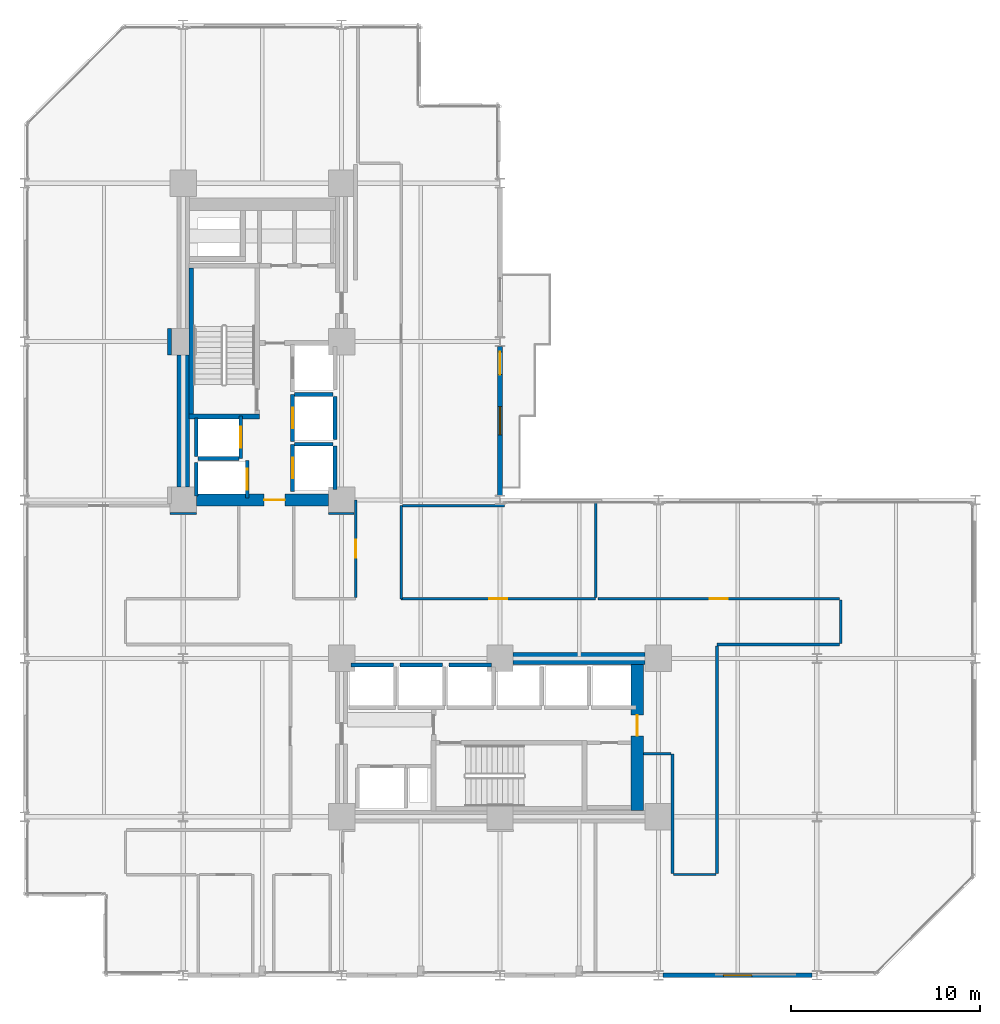
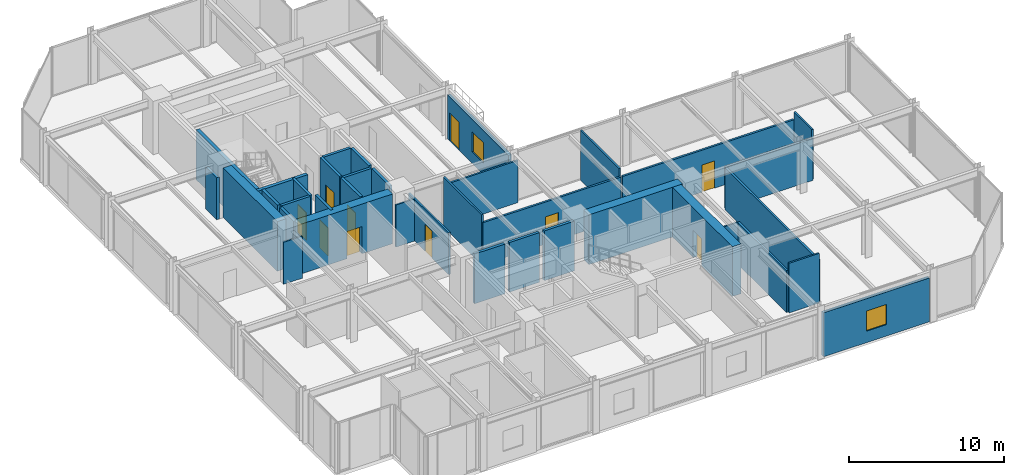
# One storey, part 20 of 24: 37 walls, 10 doors, 2 windows, 12 openings.
"""IFC4 building model written with IfcOpenShell, lengths in metres."""

from ifc_helpers import new_model, si_unit, direction, frame, frame_2d, origin, place, context, subcontext, project, spatial, rectangle, extrude, material, layer, layer_set, type_object, element, fill, save


model = new_model("IFC4")

# Units and contexts
model_context = context("Model", 3, precision=1e-05, world=origin(), true_north=direction((0.0, 1.0)))
body_context = subcontext(model_context, "Body", "Model", "MODEL_VIEW")
ifc_project = project(units=[si_unit("LENGTHUNIT", "METRE"), si_unit("AREAUNIT", "SQUARE_METRE"), si_unit("VOLUMEUNIT", "CUBIC_METRE"), si_unit("PLANEANGLEUNIT", "RADIAN"), si_unit("MASSUNIT", "GRAM", prefix="KILO")], contexts=[model_context])

# Site, building, storey
site_placement = place(None, origin())
site = spatial("IfcSite", under=ifc_project, at=site_placement, CompositionType="ELEMENT")
building_placement = place(site_placement, origin())
building = spatial("IfcBuilding", under=site, at=building_placement, Name="Nerrivon Quay Data Exchange", CompositionType="ELEMENT")
storey_placement = place(building_placement, frame((0.0, 0.0, 37.39990234375)))
storey = spatial("IfcBuildingStorey", under=building, at=storey_placement, Name="L08", CompositionType="ELEMENT", Elevation=37.39990234375)

# Wall, opening, window
ifc_material_1 = material(Name="Architectural terracotta precast concrete N50 (50 MPa)", Category="masonry")
ifc_layer_1 = layer(ifc_material_1, 0.239990234375)
ifc_layer_set_1 = layer_set([ifc_layer_1], Name="Architectural terracotta precast concrete N50 (50 MPa)")
wall_type_1 = type_object("IfcWallType", Name="EW-PREC-240", PredefinedType="STANDARD", material=ifc_layer_set_1)
wall_1_placement = place(storey_placement, frame((41.75, 0.0, 0.0), z_axis=(0.0, 0.0, 1.0), x_axis=(-1.0, 0.0, 0.0)))
wall_1 = element("IfcWall", 1, at=wall_1_placement, inside=storey, type_object=wall_type_1, Name="L08 Podium Precast Spandrel Wall 3", PredefinedType="STANDARD", context=body_context, shape_type="SweptSolid", body=[
    extrude(rectangle(XDim=7.89990234375, YDim=0.239990234375, at=frame_2d((3.949951171875, 0.0))), origin(), (0.0, 0.0, 1.0), 3.47119140625),
])
opening_1_placement = place(wall_1_placement, frame((3.199951171875, 0.0, 0.89990234375)))
opening_1 = element("IfcOpeningElement", 2, at=opening_1_placement, cuts=wall_1, Name="Opening WN4", PredefinedType="OPENING", context=body_context, shape_type="SweptSolid", body=[
    extrude(rectangle(XDim=1.5, YDim=1.60009765625, at=frame_2d((0.75, 0.800048828125))), frame((0.0, 0.1298828125, 0.0), z_axis=(0.0, -1.0, 0.0), x_axis=(1.0, 0.0, 0.0)), (0.0, 0.0, 1.0), 0.260009765625),
])
ifc_material_2 = material(Name="Double-glazed low-E solar control glass", Category="glass")
window_type = type_object("IfcWindowType", Name="WIN-W4-1500x1600", PartitioningType="SINGLE_PANEL", PredefinedType="WINDOW", material=ifc_material_2)
window_1_placement = place(opening_1_placement, origin())
window_1 = element("IfcWindow", 3, at=window_1_placement, inside=storey, type_object=window_type, Name="L08 Solar Facade Window 3", OverallHeight=1.60009765625, OverallWidth=1.5, PartitioningType="SINGLE_PANEL", PredefinedType="WINDOW", context=body_context, shape_type="SweptSolid", body=[
    extrude(rectangle(XDim=1.5, YDim=1.60009765625, at=frame_2d((0.75, 0.800048828125))), frame((0.0, 0.030029296875, 0.0), z_axis=(0.0, -1.0, 0.0), x_axis=(1.0, 0.0, 0.0)), (0.0, 0.0, 1.0), 0.06005859375),
])
fill(opening_1, window_1)

# Wall, openings, door, window
wall_2_placement = place(storey_placement, frame((25.199951171875, 33.35009765625, 0.0), z_axis=(0.0, 0.0, 1.0), x_axis=(0.0, -1.0, 0.0)))
wall_2 = element("IfcWall", 4, at=wall_2_placement, inside=storey, type_object=wall_type_1, Name="L08 Terrace Host Wall 27", PredefinedType="STANDARD", context=body_context, shape_type="SweptSolid", body=[
    extrude(rectangle(XDim=7.900146484375, YDim=0.239990234375, at=frame_2d((3.9501953125, 0.0))), origin(), (0.0, 0.0, 1.0), 3.47119140625),
])
opening_2_placement = place(wall_2_placement, frame((0.300048828125, 0.0, 0.0)))
opening_2 = element("IfcOpeningElement", 5, at=opening_2_placement, cuts=wall_2, Name="Opening TD1", PredefinedType="OPENING", context=body_context, shape_type="SweptSolid", body=[
    extrude(rectangle(XDim=1.199951171875, YDim=2.199951171875, at=frame_2d((0.60009765625, 1.10009765625))), frame((0.0, 0.1298828125, 0.0), z_axis=(0.0, -1.0, 0.0), x_axis=(1.0, 0.0, 0.0)), (0.0, 0.0, 1.0), 0.260009765625),
])
opening_3_placement = place(wall_2_placement, frame((3.199951171875, 0.0, 0.89990234375)))
opening_3 = element("IfcOpeningElement", 6, at=opening_3_placement, cuts=wall_2, Name="Opening WN4", PredefinedType="OPENING", context=body_context, shape_type="SweptSolid", body=[
    extrude(rectangle(XDim=1.5, YDim=1.60009765625, at=frame_2d((0.75, 0.800048828125))), frame((0.0, 0.1298828125, 0.0), z_axis=(0.0, -1.0, 0.0), x_axis=(1.0, 0.0, 0.0)), (0.0, 0.0, 1.0), 0.260009765625),
])
door_type_1 = type_object("IfcDoorType", Name="DR-TERR-1200x2200", OperationType="NOTDEFINED", PredefinedType="DOOR", material=ifc_material_2)
door_1_placement = place(opening_2_placement, origin())
door_1 = element("IfcDoor", 7, at=door_1_placement, inside=storey, type_object=door_type_1, Name="L08 Outdoor Terrace Access Door 27", OperationType="SINGLE_SWING_RIGHT", OverallHeight=2.199951171875, OverallWidth=1.199951171875, PredefinedType="DOOR", context=body_context, shape_type="SweptSolid", body=[
    extrude(rectangle(XDim=1.199951171875, YDim=2.199951171875, at=frame_2d((0.60009765625, 1.10009765625))), frame((0.0, 0.02490234375, 0.0), z_axis=(0.0, -1.0, 0.0), x_axis=(1.0, 0.0, 0.0)), (0.0, 0.0, 1.0), 0.050048828125),
])
fill(opening_2, door_1)
window_2_placement = place(opening_3_placement, origin())
window_2 = element("IfcWindow", 8, at=window_2_placement, inside=storey, type_object=window_type, Name="L08 Terrace Side Window 27", OverallHeight=1.60009765625, OverallWidth=1.5, PartitioningType="SINGLE_PANEL", PredefinedType="WINDOW", context=body_context, shape_type="SweptSolid", body=[
    extrude(rectangle(XDim=1.5, YDim=1.60009765625, at=frame_2d((0.75, 0.800048828125))), frame((0.0, 0.030029296875, 0.0), z_axis=(0.0, -1.0, 0.0), x_axis=(1.0, 0.0, 0.0)), (0.0, 0.0, 1.0), 0.06005859375),
])
fill(opening_3, window_2)

# Wall
ifc_material_3 = material(Name="Concrete N80 (80 MPa)", Category="concrete")
ifc_layer_2 = layer(ifc_material_3, 0.64990234375)
ifc_layer_set_2 = layer_set([ifc_layer_2], Name="Concrete N80 (80 MPa)")
wall_type_2 = type_object("IfcWallType", Name="WALL-CW-850", PredefinedType="SHEAR", material=ifc_layer_set_2)
wall_3_placement = place(storey_placement, frame((8.39990234375, 25.89990234375, 0.0), z_axis=(0.0, 0.0, 1.0), x_axis=(0.0, 1.0, 0.0)))
element("IfcWall", 9, at=wall_3_placement, inside=storey, type_object=wall_type_2, Name="L08 West Split-Core Shear Wall WCW-W1", PredefinedType="SHEAR", context=body_context, shape_type="SweptSolid", body=[
    extrude(rectangle(XDim=7.0, YDim=0.64990234375, at=frame_2d((3.5, 0.0))), origin(), (0.0, 0.0, 1.0), 3.925048828125),
])

# Wall, opening, door
wall_4_placement = place(storey_placement, frame((9.10009765625, 25.199951171875, 0.0), z_axis=(0.0, 0.0, 1.0), x_axis=(1.0, 0.0, 0.0)))
wall_4 = element("IfcWall", 10, at=wall_4_placement, inside=storey, type_object=wall_type_2, Name="L08 West Split-Core Shear Wall WCW-S1", PredefinedType="SHEAR", context=body_context, shape_type="SweptSolid", body=[
    extrude(rectangle(XDim=7.0, YDim=0.64990234375, at=frame_2d((3.5, 0.0))), origin(), (0.0, 0.0, 1.0), 3.925048828125),
])
opening_4_placement = place(wall_4_placement, frame((3.60009765625, 0.0, 0.0)))
opening_4 = element("IfcOpeningElement", 11, at=opening_4_placement, cuts=wall_4, Name="Opening FD-120", PredefinedType="OPENING", context=body_context, shape_type="SweptSolid", body=[
    extrude(rectangle(XDim=1.10009765625, YDim=2.14990234375, at=frame_2d((0.550048828125, 1.074951171875))), frame((0.0, 0.3349609375, 0.0), z_axis=(0.0, -1.0, 0.0), x_axis=(1.0, 0.0, 0.0)), (0.0, 0.0, 1.0), 0.669921875),
])
ifc_material_4 = material(Name="Powder-coated galvanized steel sheet", Category="steel")
door_type_2 = type_object("IfcDoorType", Name="DR-FD120-1100", OperationType="NOTDEFINED", PredefinedType="DOOR", material=ifc_material_4)
door_2_placement = place(opening_4_placement, origin())
door_2 = element("IfcDoor", 12, at=door_2_placement, inside=storey, type_object=door_type_2, Name="L08 West Core Lobby Fire Door", OperationType="SINGLE_SWING_RIGHT", OverallHeight=2.14990234375, OverallWidth=1.10009765625, PredefinedType="DOOR", context=body_context, shape_type="SweptSolid", body=[
    extrude(rectangle(XDim=1.10009765625, YDim=2.14990234375, at=frame_2d((0.550048828125, 1.074951171875))), frame((0.0, 0.02490234375, 0.0), z_axis=(0.0, -1.0, 0.0), x_axis=(1.0, 0.0, 0.0)), (0.0, 0.0, 1.0), 0.050048828125),
])
fill(opening_4, door_2)

wall_5_placement = place(storey_placement, frame((32.47509765625, 8.72509765625, 0.0), z_axis=(0.0, 0.0, 1.0), x_axis=(0.0, 1.0, 0.0)))
wall_5 = element("IfcWall", 13, at=wall_5_placement, inside=storey, type_object=wall_type_2, Name="L08 East Split-Core Shear Wall ECW-E1", PredefinedType="SHEAR", context=body_context, shape_type="SweptSolid", body=[
    extrude(rectangle(XDim=7.75, YDim=0.64990234375, at=frame_2d((3.875, 0.0))), origin(), (0.0, 0.0, 1.0), 3.925048828125),
])
opening_5_placement = place(wall_5_placement, frame((3.97509765625, 0.0, 0.0)))
opening_5 = element("IfcOpeningElement", 14, at=opening_5_placement, cuts=wall_5, Name="Opening FD-120", PredefinedType="OPENING", context=body_context, shape_type="SweptSolid", body=[
    extrude(rectangle(XDim=1.10009765625, YDim=2.14990234375, at=frame_2d((0.550048828125, 1.074951171875))), frame((0.0, 0.3349609375, 0.0), z_axis=(0.0, -1.0, 0.0), x_axis=(1.0, 0.0, 0.0)), (0.0, 0.0, 1.0), 0.669921875),
])
door_3_placement = place(opening_5_placement, origin())
door_3 = element("IfcDoor", 15, at=door_3_placement, inside=storey, type_object=door_type_2, Name="L08 East Core Lobby Fire Door", OperationType="SINGLE_SWING_LEFT", OverallHeight=2.14990234375, OverallWidth=1.10009765625, PredefinedType="DOOR", context=body_context, shape_type="SweptSolid", body=[
    extrude(rectangle(XDim=1.10009765625, YDim=2.14990234375, at=frame_2d((0.550048828125, 1.074951171875))), frame((0.0, 0.02490234375, 0.0), z_axis=(0.0, -1.0, 0.0), x_axis=(1.0, 0.0, 0.0)), (0.0, 0.0, 1.0), 0.050048828125),
])
fill(opening_5, door_3)

# Wall
wall_6_placement = place(storey_placement, frame((25.89990234375, 16.800048828125, 0.0), z_axis=(0.0, 0.0, 1.0), x_axis=(1.0, 0.0, 0.0)))
element("IfcWall", 16, at=wall_6_placement, inside=storey, type_object=wall_type_2, Name="L08 East Split-Core Shear Wall ECW-N1", PredefinedType="SHEAR", context=body_context, shape_type="SweptSolid", body=[
    extrude(rectangle(XDim=7.0, YDim=0.64990234375, at=frame_2d((3.5, 0.0))), origin(), (0.0, 0.0, 1.0), 3.925048828125),
])

# Wall, opening, door
ifc_material_5 = material(Name="Gypsum plasterboard on cold-formed framing", Category="gypsum")
ifc_layer_3 = layer(ifc_material_5, 0.199951171875)
ifc_layer_set_3 = layer_set([ifc_layer_3], Name="Gypsum plasterboard on cold-formed framing")
wall_type_3 = type_object("IfcWallType", Name="WALL-FW-200", PredefinedType="PARTITIONING", material=ifc_layer_set_3)
wall_7_placement = place(storey_placement, frame((11.449951171875, 27.39990234375, 0.0), z_axis=(0.0, 0.0, 1.0), x_axis=(0.0, 1.0, 0.0)))
wall_7 = element("IfcWall", 17, at=wall_7_placement, inside=storey, type_object=wall_type_3, Name="L08 Lift Front Wall FFL-1", PredefinedType="PARTITIONING", context=body_context, shape_type="SweptSolid", body=[
    extrude(rectangle(XDim=2.25, YDim=0.199951171875, at=frame_2d((1.125, 0.0))), origin(), (0.0, 0.0, 1.0), 3.925048828125),
])
opening_6_placement = place(wall_7_placement, frame((0.574951171875, 0.0, 0.0)))
opening_6 = element("IfcOpeningElement", 18, at=opening_6_placement, cuts=wall_7, Name="Opening LD-120", PredefinedType="OPENING", context=body_context, shape_type="SweptSolid", body=[
    extrude(rectangle(XDim=1.10009765625, YDim=2.199951171875, at=frame_2d((0.550048828125, 1.10009765625))), frame((0.0, 0.10986328125, 0.0), z_axis=(0.0, -1.0, 0.0), x_axis=(1.0, 0.0, 0.0)), (0.0, 0.0, 1.0), 0.219970703125),
])
door_type_3 = type_object("IfcDoorType", Name="DR-LIFT-LD120", OperationType="DOUBLE_DOOR_SLIDING", PredefinedType="DOOR", material=ifc_material_4)
door_4_placement = place(opening_6_placement, origin())
door_4 = element("IfcDoor", 19, at=door_4_placement, inside=storey, type_object=door_type_3, Name="L08 Lift Landing Sliding Door FFL-1", OperationType="DOUBLE_DOOR_SLIDING", OverallHeight=2.199951171875, OverallWidth=1.10009765625, PredefinedType="DOOR", context=body_context, shape_type="SweptSolid", body=[
    extrude(rectangle(XDim=1.10009765625, YDim=2.199951171875, at=frame_2d((0.550048828125, 1.10009765625))), frame((0.0, 0.02490234375, 0.0), z_axis=(0.0, -1.0, 0.0), x_axis=(1.0, 0.0, 0.0)), (0.0, 0.0, 1.0), 0.050048828125),
])
fill(opening_6, door_4)

# Walls
wall_8_placement = place(storey_placement, frame((9.10009765625, 27.5, 0.0), z_axis=(0.0, 0.0, 1.0), x_axis=(0.0, 1.0, 0.0)))
element("IfcWall", 20, at=wall_8_placement, inside=storey, type_object=wall_type_3, Name="L08 Lift Shaft Wall FFL-1 WEST", PredefinedType="PARTITIONING", context=body_context, shape_type="SweptSolid", body=[
    extrude(rectangle(XDim=2.050048828125, YDim=0.199951171875, at=frame_2d((1.02490234375, 0.0))), origin(), (0.0, 0.0, 1.0), 3.925048828125),
])
wall_9_placement = place(storey_placement, frame((9.199951171875, 27.39990234375, 0.0), z_axis=(0.0, 0.0, 1.0), x_axis=(1.0, 0.0, 0.0)))
element("IfcWall", 21, at=wall_9_placement, inside=storey, type_object=wall_type_3, Name="L08 Lift Shaft Wall FFL-1 SOUTH", PredefinedType="PARTITIONING", context=body_context, shape_type="SweptSolid", body=[
    extrude(rectangle(XDim=2.150146484375, YDim=0.199951171875, at=frame_2d((1.0751953125, 0.0))), origin(), (0.0, 0.0, 1.0), 3.925048828125),
])

# Wall, opening, door
wall_10_placement = place(storey_placement, frame((11.800048828125, 25.300048828125, 0.0), z_axis=(0.0, 0.0, 1.0), x_axis=(0.0, 1.0, 0.0)))
wall_10 = element("IfcWall", 22, at=wall_10_placement, inside=storey, type_object=wall_type_3, Name="L08 Lift Front Wall SVL-1", PredefinedType="PARTITIONING", context=body_context, shape_type="SweptSolid", body=[
    extrude(rectangle(XDim=2.0, YDim=0.199951171875, at=frame_2d((1.0, 0.0))), origin(), (0.0, 0.0, 1.0), 3.925048828125),
])
opening_7_placement = place(wall_10_placement, frame((0.449951171875, 0.0, 0.0)))
opening_7 = element("IfcOpeningElement", 23, at=opening_7_placement, cuts=wall_10, Name="Opening LD-120", PredefinedType="OPENING", context=body_context, shape_type="SweptSolid", body=[
    extrude(rectangle(XDim=1.10009765625, YDim=2.199951171875, at=frame_2d((0.550048828125, 1.10009765625))), frame((0.0, 0.10986328125, 0.0), z_axis=(0.0, -1.0, 0.0), x_axis=(1.0, 0.0, 0.0)), (0.0, 0.0, 1.0), 0.219970703125),
])
door_5_placement = place(opening_7_placement, origin())
door_5 = element("IfcDoor", 24, at=door_5_placement, inside=storey, type_object=door_type_3, Name="L08 Lift Landing Sliding Door SVL-1", OperationType="DOUBLE_DOOR_SLIDING", OverallHeight=2.199951171875, OverallWidth=1.10009765625, PredefinedType="DOOR", context=body_context, shape_type="SweptSolid", body=[
    extrude(rectangle(XDim=1.10009765625, YDim=2.199951171875, at=frame_2d((0.550048828125, 1.10009765625))), frame((0.0, 0.02490234375, 0.0), z_axis=(0.0, -1.0, 0.0), x_axis=(1.0, 0.0, 0.0)), (0.0, 0.0, 1.0), 0.050048828125),
])
fill(opening_7, door_5)

# Wall
wall_11_placement = place(storey_placement, frame((9.10009765625, 25.39990234375, 0.0), z_axis=(0.0, 0.0, 1.0), x_axis=(0.0, 1.0, 0.0)))
element("IfcWall", 25, at=wall_11_placement, inside=storey, type_object=wall_type_3, Name="L08 Lift Shaft Wall SVL-1 WEST", PredefinedType="PARTITIONING", context=body_context, shape_type="SweptSolid", body=[
    extrude(rectangle(XDim=1.800048828125, YDim=0.199951171875, at=frame_2d((0.89990234375, 0.0))), origin(), (0.0, 0.0, 1.0), 3.925048828125),
])

# Wall, opening, door
wall_12_placement = place(storey_placement, frame((14.199951171875, 25.64990234375, 0.0), z_axis=(0.0, 0.0, 1.0), x_axis=(0.0, 1.0, 0.0)))
wall_12 = element("IfcWall", 26, at=wall_12_placement, inside=storey, type_object=wall_type_3, Name="L08 Lift Front Wall PL1", PredefinedType="PARTITIONING", context=body_context, shape_type="SweptSolid", body=[
    extrude(rectangle(XDim=2.5, YDim=0.199951171875, at=frame_2d((1.25, 0.0))), origin(), (0.0, 0.0, 1.0), 3.925048828125),
])
opening_8_placement = place(wall_12_placement, frame((0.699951171875, 0.0, 0.0)))
opening_8 = element("IfcOpeningElement", 27, at=opening_8_placement, cuts=wall_12, Name="Opening LD-120", PredefinedType="OPENING", context=body_context, shape_type="SweptSolid", body=[
    extrude(rectangle(XDim=1.10009765625, YDim=2.199951171875, at=frame_2d((0.550048828125, 1.10009765625))), frame((0.0, 0.10986328125, 0.0), z_axis=(0.0, -1.0, 0.0), x_axis=(1.0, 0.0, 0.0)), (0.0, 0.0, 1.0), 0.219970703125),
])
door_6_placement = place(opening_8_placement, origin())
door_6 = element("IfcDoor", 28, at=door_6_placement, inside=storey, type_object=door_type_3, Name="L08 Lift Landing Sliding Door PL1", OperationType="DOUBLE_DOOR_SLIDING", OverallHeight=2.199951171875, OverallWidth=1.10009765625, PredefinedType="DOOR", context=body_context, shape_type="SweptSolid", body=[
    extrude(rectangle(XDim=1.10009765625, YDim=2.199951171875, at=frame_2d((0.550048828125, 1.10009765625))), frame((0.0, 0.02490234375, 0.0), z_axis=(0.0, -1.0, 0.0), x_axis=(1.0, 0.0, 0.0)), (0.0, 0.0, 1.0), 0.050048828125),
])
fill(opening_8, door_6)

# Walls
wall_13_placement = place(storey_placement, frame((16.449951171875, 25.75, 0.0), z_axis=(0.0, 0.0, 1.0), x_axis=(0.0, 1.0, 0.0)))
element("IfcWall", 29, at=wall_13_placement, inside=storey, type_object=wall_type_3, Name="L08 Lift Shaft Wall PL1 EAST", PredefinedType="PARTITIONING", context=body_context, shape_type="SweptSolid", body=[
    extrude(rectangle(XDim=2.300048828125, YDim=0.199951171875, at=frame_2d((1.14990234375, 0.0))), origin(), (0.0, 0.0, 1.0), 3.925048828125),
])
wall_14_placement = place(storey_placement, frame((14.300048828125, 28.14990234375, 0.0), z_axis=(0.0, 0.0, 1.0), x_axis=(1.0, 0.0, 0.0)))
element("IfcWall", 30, at=wall_14_placement, inside=storey, type_object=wall_type_3, Name="L08 Lift Shaft Wall PL1 NORTH", PredefinedType="PARTITIONING", context=body_context, shape_type="SweptSolid", body=[
    extrude(rectangle(XDim=2.050048828125, YDim=0.199951171875, at=frame_2d((1.02490234375, 0.0))), origin(), (0.0, 0.0, 1.0), 3.925048828125),
])

# Wall, opening, door
wall_15_placement = place(storey_placement, frame((14.199951171875, 28.300048828125, 0.0), z_axis=(0.0, 0.0, 1.0), x_axis=(0.0, 1.0, 0.0)))
wall_15 = element("IfcWall", 31, at=wall_15_placement, inside=storey, type_object=wall_type_3, Name="L08 Lift Front Wall PL2", PredefinedType="PARTITIONING", context=body_context, shape_type="SweptSolid", body=[
    extrude(rectangle(XDim=2.5, YDim=0.199951171875, at=frame_2d((1.25, 0.0))), origin(), (0.0, 0.0, 1.0), 3.925048828125),
])
opening_9_placement = place(wall_15_placement, frame((0.699951171875, 0.0, 0.0)))
opening_9 = element("IfcOpeningElement", 32, at=opening_9_placement, cuts=wall_15, Name="Opening LD-120", PredefinedType="OPENING", context=body_context, shape_type="SweptSolid", body=[
    extrude(rectangle(XDim=1.10009765625, YDim=2.199951171875, at=frame_2d((0.550048828125, 1.10009765625))), frame((0.0, 0.10986328125, 0.0), z_axis=(0.0, -1.0, 0.0), x_axis=(1.0, 0.0, 0.0)), (0.0, 0.0, 1.0), 0.219970703125),
])
door_7_placement = place(opening_9_placement, origin())
door_7 = element("IfcDoor", 33, at=door_7_placement, inside=storey, type_object=door_type_3, Name="L08 Lift Landing Sliding Door PL2", OperationType="DOUBLE_DOOR_SLIDING", OverallHeight=2.199951171875, OverallWidth=1.10009765625, PredefinedType="DOOR", context=body_context, shape_type="SweptSolid", body=[
    extrude(rectangle(XDim=1.10009765625, YDim=2.199951171875, at=frame_2d((0.550048828125, 1.10009765625))), frame((0.0, 0.02490234375, 0.0), z_axis=(0.0, -1.0, 0.0), x_axis=(1.0, 0.0, 0.0)), (0.0, 0.0, 1.0), 0.050048828125),
])
fill(opening_9, door_7)

# Walls
wall_16_placement = place(storey_placement, frame((16.449951171875, 28.39990234375, 0.0), z_axis=(0.0, 0.0, 1.0), x_axis=(0.0, 1.0, 0.0)))
element("IfcWall", 34, at=wall_16_placement, inside=storey, type_object=wall_type_3, Name="L08 Lift Shaft Wall PL2 EAST", PredefinedType="PARTITIONING", context=body_context, shape_type="SweptSolid", body=[
    extrude(rectangle(XDim=2.300048828125, YDim=0.199951171875, at=frame_2d((1.14990234375, 0.0))), origin(), (0.0, 0.0, 1.0), 3.925048828125),
])
wall_17_placement = place(storey_placement, frame((14.300048828125, 30.800048828125, 0.0), z_axis=(0.0, 0.0, 1.0), x_axis=(1.0, 0.0, 0.0)))
element("IfcWall", 35, at=wall_17_placement, inside=storey, type_object=wall_type_3, Name="L08 Lift Shaft Wall PL2 NORTH", PredefinedType="PARTITIONING", context=body_context, shape_type="SweptSolid", body=[
    extrude(rectangle(XDim=2.050048828125, YDim=0.199951171875, at=frame_2d((1.02490234375, 0.0))), origin(), (0.0, 0.0, 1.0), 3.925048828125),
])
for number, where, z_axis, x_axis, name in (
    (36, (17.300048828125, 16.449951171875, 0.0), (0.0, 0.0, 1.0), (1.0, 0.0, 0.0), "L08 Lift Shaft Wall PL4 NORTH"),
    (37, (19.89990234375, 16.449951171875, 0.0), (0.0, 0.0, 1.0), (1.0, 0.0, 0.0), "L08 Lift Shaft Wall PL5 NORTH"),
    (38, (22.5, 16.449951171875, 0.0), (0.0, 0.0, 1.0), (1.0, 0.0, 0.0), "L08 Lift Shaft Wall PL6 NORTH"),
):
    element("IfcWall", number, at=place(storey_placement, frame(where, z_axis=z_axis, x_axis=x_axis)), inside=storey, type_object=wall_type_3, Name=name, PredefinedType="PARTITIONING", context=body_context, shape_type="SweptSolid", body=[
        extrude(rectangle(XDim=2.25, YDim=0.199951171875, at=frame_2d((1.125, 0.0))), origin(), (0.0, 0.0, 1.0), 3.925048828125),
    ])
wall_18_placement = place(storey_placement, frame((7.680908203125, 32.894287109375, 0.0), z_axis=(0.0, 0.0, 1.0), x_axis=(-0.000694685487, 0.999999758706, 0.0)))
element("IfcWall", 39, at=wall_18_placement, inside=storey, type_object=wall_type_3, Name="L08 Partition Colocation Data Workspace 1", PredefinedType="PARTITIONING", context=body_context, shape_type="SweptSolid", body=[
    extrude(rectangle(XDim=1.40576171875, YDim=0.199951171875, at=frame_2d((0.702880859375, 0.0))), origin(), (0.0, 0.0, 1.0), 3.31298828125),
])
ifc_layer_4 = layer(ifc_material_5, 0.1201171875)
ifc_layer_set_4 = layer_set([ifc_layer_4], Name="Gypsum plasterboard on cold-formed framing")
wall_type_4 = type_object("IfcWallType", Name="WALL-PT-120", PredefinedType="PARTITIONING", material=ifc_layer_set_4)
wall_19_placement = place(storey_placement, frame((17.468505859375, 24.48046875, 0.0), z_axis=(0.0, 0.0, 1.0), x_axis=(-0.99999993688, 0.000355302873, 0.0)))
element("IfcWall", 40, at=wall_19_placement, inside=storey, type_object=wall_type_4, Name="L08 Partition Staff Pantry", PredefinedType="PARTITIONING", context=body_context, shape_type="SweptSolid", body=[
    extrude(rectangle(XDim=1.374267578125, YDim=0.1201171875, at=frame_2d((0.68701171875, 0.0))), origin(), (0.0, 0.0, 1.0), 3.322998046875),
])
wall_20_placement = place(storey_placement, frame((9.105712890625, 24.48095703125, 0.0), z_axis=(0.0, 0.0, 1.0), x_axis=(-0.999999758706, -0.000694685487, 0.0)))
element("IfcWall", 41, at=wall_20_placement, inside=storey, type_object=wall_type_4, Name="L08 Partition Cloud Compute Workspace 1", PredefinedType="PARTITIONING", context=body_context, shape_type="SweptSolid", body=[
    extrude(rectangle(XDim=1.40576171875, YDim=0.1201171875, at=frame_2d((0.702880859375, 0.0))), origin(), (0.0, 0.0, 1.0), 3.322998046875),
])
wall_21_placement = place(storey_placement, frame((43.260009765625, 19.89990234375, 0.0), z_axis=(0.0, 0.0, 1.0), x_axis=(0.0, -1.0, 0.0)))
element("IfcWall", 42, at=wall_21_placement, inside=storey, type_object=wall_type_4, Name="L08 Partition Optical Engineering Studios Workspace", PredefinedType="PARTITIONING", context=body_context, shape_type="SweptSolid", body=[
    extrude(rectangle(XDim=2.2998046875, YDim=0.1201171875, at=frame_2d((1.14990234375, 0.0))), origin(), (0.0, 0.0, 1.0), 3.925048828125),
])
wall_22_placement = place(storey_placement, frame((36.64990234375, 5.340087890625, 0.0), z_axis=(0.0, 0.0, 1.0), x_axis=(-1.0, 0.0, 0.0)))
element("IfcWall", 43, at=wall_22_placement, inside=storey, type_object=wall_type_4, Name="L08 Partition Optical Engineering Studios Workspace", PredefinedType="PARTITIONING", context=body_context, shape_type="SweptSolid", body=[
    extrude(rectangle(XDim=2.25, YDim=0.1201171875, at=frame_2d((1.125, 0.0))), origin(), (0.0, 0.0, 1.0), 3.925048828125),
])
wall_23_placement = place(storey_placement, frame((34.260986328125, 11.739990234375, 0.0), z_axis=(0.0, 0.0, 1.0), x_axis=(-1.0, 0.0, 0.0)))
element("IfcWall", 44, at=wall_23_placement, inside=storey, type_object=wall_type_4, Name="L08 Partition Optical Engineering Studios Workspace", PredefinedType="PARTITIONING", context=body_context, shape_type="SweptSolid", body=[
    extrude(rectangle(XDim=1.45703125, YDim=0.1201171875, at=frame_2d((0.728515625, 0.0))), origin(), (0.0, 0.0, 1.0), 3.322998046875),
])

# Wall, opening, door
ifc_layer_5 = layer(ifc_material_5, 0.135009765625)
ifc_layer_set_5 = layer_set([ifc_layer_5], Name="Gypsum plasterboard on cold-formed framing")
wall_type_5 = type_object("IfcWallType", Name="WALL-PT-135", PredefinedType="PARTITIONING", material=ifc_layer_set_5)
wall_24_placement = place(storey_placement, frame((17.5400390625, 20.031494140625, 0.0), z_axis=(0.0, 0.0, 1.0), x_axis=(0.0, 1.0, 0.0)))
wall_24 = element("IfcWall", 45, at=wall_24_placement, inside=storey, type_object=wall_type_5, Name="L08 Partition Staff Pantry", PredefinedType="PARTITIONING", context=body_context, shape_type="SweptSolid", body=[
    extrude(rectangle(XDim=5.16845703125, YDim=0.135009765625, at=frame_2d((2.584228515625, 0.0))), origin(), (0.0, 0.0, 1.0), 3.31298828125),
])
opening_10_placement = place(wall_24_placement, frame((2.109130859375, 0.0, 0.0)))
opening_10 = element("IfcOpeningElement", 46, at=opening_10_placement, cuts=wall_24, Name="Opening D-01", PredefinedType="OPENING", context=body_context, shape_type="SweptSolid", body=[
    extrude(rectangle(XDim=0.949951171875, YDim=2.14990234375, at=frame_2d((0.47509765625, 1.074951171875))), frame((0.0, 0.077392578125, 0.0), z_axis=(0.0, -1.0, 0.0), x_axis=(1.0, 0.0, 0.0)), (0.0, 0.0, 1.0), 0.155029296875),
])
ifc_material_6 = material(Name="Engineered hardwood timber", Category="wood")
door_type_4 = type_object("IfcDoorType", Name="DR-INT-950", OperationType="NOTDEFINED", PredefinedType="DOOR", material=ifc_material_6)
door_8_placement = place(opening_10_placement, origin())
door_8 = element("IfcDoor", 47, at=door_8_placement, inside=storey, type_object=door_type_4, Name="L08 Door Staff Pantry", OperationType="SINGLE_SWING_RIGHT", OverallHeight=2.14990234375, OverallWidth=0.949951171875, PredefinedType="DOOR", context=body_context, shape_type="SweptSolid", body=[
    extrude(rectangle(XDim=0.949951171875, YDim=2.14990234375, at=frame_2d((0.47509765625, 1.074951171875))), frame((0.0, 0.02490234375, 0.0), z_axis=(0.0, -1.0, 0.0), x_axis=(1.0, 0.0, 0.0)), (0.0, 0.0, 1.0), 0.050048828125),
])
fill(opening_10, door_8)

# Walls
wall_25_placement = place(storey_placement, frame((19.9599609375, 24.90087890625, 0.0), z_axis=(0.0, 0.0, 1.0), x_axis=(0.0, -1.0, 0.0)))
element("IfcWall", 48, at=wall_25_placement, inside=storey, type_object=wall_type_5, Name="L08 Partition Client Conference Room 1", PredefinedType="PARTITIONING", context=body_context, shape_type="SweptSolid", body=[
    extrude(rectangle(XDim=4.94091796875, YDim=0.135009765625, at=frame_2d((2.470458984375, 0.0))), origin(), (0.0, 0.0, 1.0), 3.925048828125),
])
wall_26_placement = place(storey_placement, frame((30.268798828125, 20.0390625, 0.0), z_axis=(0.0, 0.0, 1.0), x_axis=(0.0, 1.0, 0.0)))
element("IfcWall", 49, at=wall_26_placement, inside=storey, type_object=wall_type_5, Name="L08 Partition Client Conference Room 1", PredefinedType="PARTITIONING", context=body_context, shape_type="SweptSolid", body=[
    extrude(rectangle(XDim=4.991943359375, YDim=0.135009765625, at=frame_2d((2.49609375, 0.0))), origin(), (0.0, 0.0, 1.0), 3.925048828125),
])
wall_27_placement = place(storey_placement, frame((25.449951171875, 24.90087890625, 0.0), z_axis=(0.0, 0.0, 1.0), x_axis=(-1.0, 0.0, 0.0)))
element("IfcWall", 50, at=wall_27_placement, inside=storey, type_object=wall_type_5, Name="L08 Partition Client Conference Room 1", PredefinedType="PARTITIONING", context=body_context, shape_type="SweptSolid", body=[
    extrude(rectangle(XDim=5.41845703125, YDim=0.135009765625, at=frame_2d((2.709228515625, 0.0))), origin(), (0.0, 0.0, 1.0), 3.322998046875),
])

# Wall, opening, door
ifc_layer_6 = layer(ifc_material_5, 0.14990234375)
ifc_layer_set_6 = layer_set([ifc_layer_6], Name="Gypsum plasterboard on cold-formed framing")
wall_type_6 = type_object("IfcWallType", Name="WALL-PT-150", PredefinedType="PARTITIONING", material=ifc_layer_set_6)
wall_28_placement = place(storey_placement, frame((19.9599609375, 19.9599609375, 0.0), z_axis=(0.0, 0.0, 1.0), x_axis=(1.0, 0.0, 0.0)))
wall_28 = element("IfcWall", 51, at=wall_28_placement, inside=storey, type_object=wall_type_6, Name="L08 Partition Client Conference Room 1", PredefinedType="PARTITIONING", context=body_context, shape_type="SweptSolid", body=[
    extrude(rectangle(XDim=10.308837890625, YDim=0.14990234375, at=frame_2d((5.154296875, 0.0))), origin(), (0.0, 0.0, 1.0), 3.322998046875),
])
opening_11_placement = place(wall_28_placement, frame((4.679443359375, 0.0, 0.0)))
opening_11 = element("IfcOpeningElement", 52, at=opening_11_placement, cuts=wall_28, Name="Opening D-01", PredefinedType="OPENING", context=body_context, shape_type="SweptSolid", body=[
    extrude(rectangle(XDim=0.949951171875, YDim=2.14990234375, at=frame_2d((0.47509765625, 1.074951171875))), frame((0.0, 0.0849609375, 0.0), z_axis=(0.0, -1.0, 0.0), x_axis=(1.0, 0.0, 0.0)), (0.0, 0.0, 1.0), 0.169921875),
])
door_9_placement = place(opening_11_placement, origin())
door_9 = element("IfcDoor", 53, at=door_9_placement, inside=storey, type_object=door_type_4, Name="L08 Door Client Conference Room 1", OperationType="SINGLE_SWING_LEFT", OverallHeight=2.14990234375, OverallWidth=0.949951171875, PredefinedType="DOOR", context=body_context, shape_type="SweptSolid", body=[
    extrude(rectangle(XDim=0.949951171875, YDim=2.14990234375, at=frame_2d((0.47509765625, 1.074951171875))), frame((0.0, 0.02490234375, 0.0), z_axis=(0.0, -1.0, 0.0), x_axis=(1.0, 0.0, 0.0)), (0.0, 0.0, 1.0), 0.050048828125),
])
fill(opening_11, door_9)

wall_29_placement = place(storey_placement, frame((30.388916015625, 19.9599609375, 0.0), z_axis=(0.0, 0.0, 1.0), x_axis=(1.0, 0.0, 0.0)))
wall_29 = element("IfcWall", 54, at=wall_29_placement, inside=storey, type_object=wall_type_6, Name="L08 Partition Optical Engineering Studios Workspace", PredefinedType="PARTITIONING", context=body_context, shape_type="SweptSolid", body=[
    extrude(rectangle(XDim=12.81103515625, YDim=0.14990234375, at=frame_2d((6.405517578125, 0.0))), origin(), (0.0, 0.0, 1.0), 3.322998046875),
])
opening_12_placement = place(wall_29_placement, frame((5.9306640625, 0.0, 0.0)))
opening_12 = element("IfcOpeningElement", 55, at=opening_12_placement, cuts=wall_29, Name="Opening D-01", PredefinedType="OPENING", context=body_context, shape_type="SweptSolid", body=[
    extrude(rectangle(XDim=0.949951171875, YDim=2.14990234375, at=frame_2d((0.47509765625, 1.074951171875))), frame((0.0, 0.0849609375, 0.0), z_axis=(0.0, -1.0, 0.0), x_axis=(1.0, 0.0, 0.0)), (0.0, 0.0, 1.0), 0.169921875),
])
door_10_placement = place(opening_12_placement, origin())
door_10 = element("IfcDoor", 56, at=door_10_placement, inside=storey, type_object=door_type_4, Name="L08 Door Optical Engineering Studios Workspace", OperationType="SINGLE_SWING_RIGHT", OverallHeight=2.14990234375, OverallWidth=0.949951171875, PredefinedType="DOOR", context=body_context, shape_type="SweptSolid", body=[
    extrude(rectangle(XDim=0.949951171875, YDim=2.14990234375, at=frame_2d((0.47509765625, 1.074951171875))), frame((0.0, 0.02490234375, 0.0), z_axis=(0.0, -1.0, 0.0), x_axis=(1.0, 0.0, 0.0)), (0.0, 0.0, 1.0), 0.050048828125),
])
fill(opening_12, door_10)

# Walls
wall_30_placement = place(storey_placement, frame((43.199951171875, 17.5400390625, 0.0), z_axis=(0.0, 0.0, 1.0), x_axis=(-1.0, 0.0, 0.0)))
element("IfcWall", 57, at=wall_30_placement, inside=storey, type_object=wall_type_6, Name="L08 Partition Optical Engineering Studios Workspace", PredefinedType="PARTITIONING", context=body_context, shape_type="SweptSolid", body=[
    extrude(rectangle(XDim=6.489990234375, YDim=0.14990234375, at=frame_2d((3.2451171875, 0.0))), origin(), (0.0, 0.0, 1.0), 3.322998046875),
])
wall_31_placement = place(storey_placement, frame((36.7099609375, 17.4609375, 0.0), z_axis=(0.0, 0.0, 1.0), x_axis=(0.0, -1.0, 0.0)))
element("IfcWall", 58, at=wall_31_placement, inside=storey, type_object=wall_type_6, Name="L08 Partition Optical Engineering Studios Workspace", PredefinedType="PARTITIONING", context=body_context, shape_type="SweptSolid", body=[
    extrude(rectangle(XDim=12.06103515625, YDim=0.14990234375, at=frame_2d((6.030517578125, 0.0))), origin(), (0.0, 0.0, 1.0), 3.31298828125),
])
wall_32_placement = place(storey_placement, frame((34.340087890625, 5.39990234375, 0.0), z_axis=(0.0, 0.0, 1.0), x_axis=(0.0, 1.0, 0.0)))
element("IfcWall", 59, at=wall_32_placement, inside=storey, type_object=wall_type_6, Name="L08 Partition Optical Engineering Studios Workspace", PredefinedType="PARTITIONING", context=body_context, shape_type="SweptSolid", body=[
    extrude(rectangle(XDim=6.340087890625, YDim=0.14990234375, at=frame_2d((3.169921875, 0.0))), origin(), (0.0, 0.0, 1.0), 3.31298828125),
])
ifc_material_7 = material(Name="Concrete N50 (50 MPa)", Category="concrete")
ifc_layer_7 = layer(ifc_material_7, 0.25)
ifc_layer_set_7 = layer_set([ifc_layer_7], Name="Concrete N50 (50 MPa)")
wall_type_7 = type_object("IfcWallType", Name="WALL-SW-250", PredefinedType="SHEAR", material=ifc_layer_set_7)
wall_33_placement = place(storey_placement, frame((12.449951171875, 29.625, 0.0), z_axis=(0.0, 0.0, 1.0), x_axis=(-1.0, 0.0, 0.0)))
element("IfcWall", 60, at=wall_33_placement, inside=storey, type_object=wall_type_7, Name="L08 ST01 Structural Stair Core Wall NEAR", PredefinedType="SHEAR", context=body_context, shape_type="SweptSolid", body=[
    extrude(rectangle(XDim=3.75, YDim=0.25, at=frame_2d((1.875, 0.0))), origin(), (0.0, 0.0, 1.0), 3.925048828125),
])
wall_34_placement = place(storey_placement, frame((8.824951171875, 29.75, 0.0), z_axis=(0.0, 0.0, 1.0), x_axis=(0.0, 1.0, 0.0)))
element("IfcWall", 61, at=wall_34_placement, inside=storey, type_object=wall_type_7, Name="L08 ST01 Structural Stair Core Wall RIGHT", PredefinedType="SHEAR", context=body_context, shape_type="SweptSolid", body=[
    extrude(rectangle(XDim=7.75, YDim=0.25, at=frame_2d((3.875, 0.0))), origin(), (0.0, 0.0, 1.0), 3.925048828125),
])

save(model, "model.ifc")
